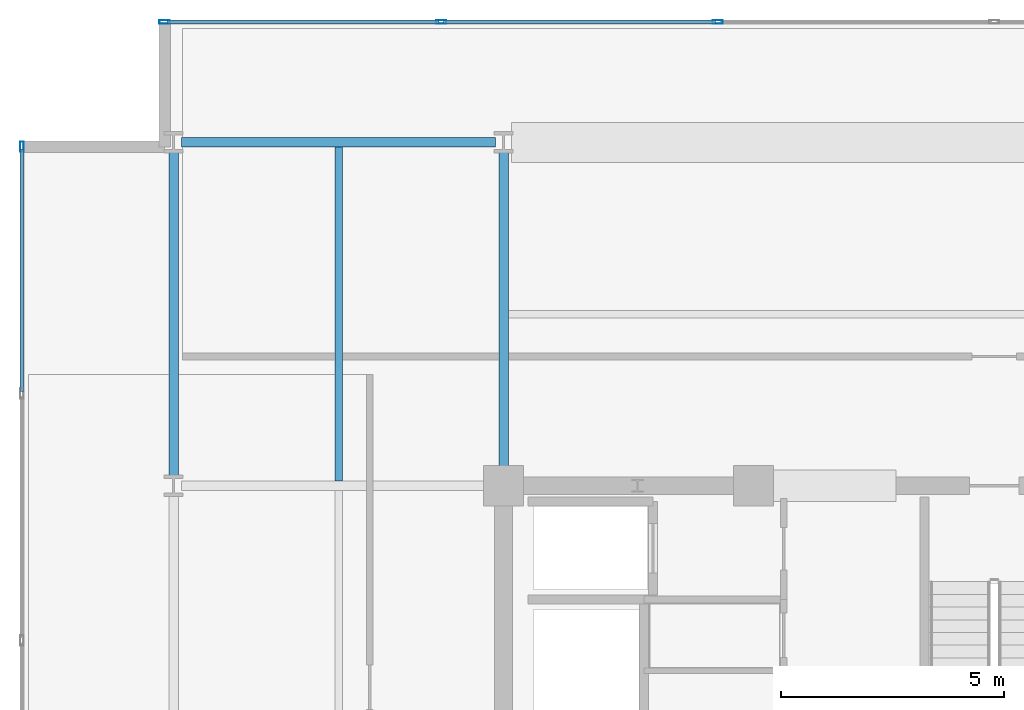
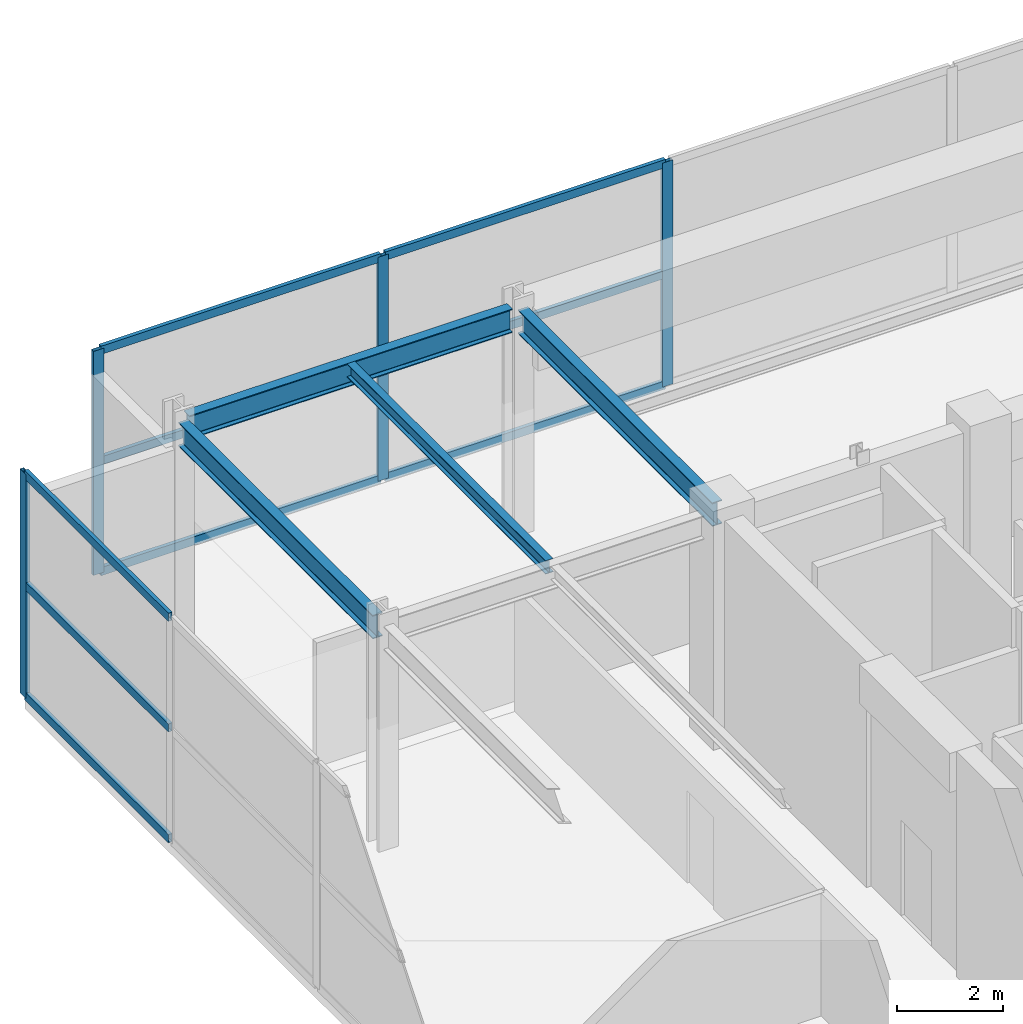
# One storey, part 13 of 24: 13 members, 4 beams, 2 elements without a shape of their own.
"""IFC4 building model written with IfcOpenShell, lengths in metres."""

from ifc_helpers import new_model, si_unit, direction, frame, origin, origin_2d, place, context, subcontext, project, spatial, hollow_rectangle, i_section, extrude, material, material_profile, profile_set, type_object, element, aggregate, save


model = new_model("IFC4")

# Units and contexts
model_context = context("Model", 3, precision=1e-05, world=origin(), true_north=direction((0.0, 1.0)))
body_context = subcontext(model_context, "Body", "Model", "MODEL_VIEW")
ifc_project = project(units=[si_unit("LENGTHUNIT", "METRE"), si_unit("AREAUNIT", "SQUARE_METRE"), si_unit("VOLUMEUNIT", "CUBIC_METRE"), si_unit("PLANEANGLEUNIT", "RADIAN"), si_unit("MASSUNIT", "GRAM", prefix="KILO")], contexts=[model_context])

# Site, building, storey
site_placement = place(None, origin())
site = spatial("IfcSite", under=ifc_project, at=site_placement, CompositionType="ELEMENT")
building_placement = place(site_placement, origin())
building = spatial("IfcBuilding", under=site, at=building_placement, Name="Kovane Verandah Tower", CompositionType="ELEMENT")
storey_placement = place(building_placement, frame((0.0, 0.0, 348.800048828125)))
storey = spatial("IfcBuildingStorey", under=building, at=storey_placement, Name="L81", CompositionType="ELEMENT", Elevation=348.800048828125)

# Beams
ifc_material_1 = material(Name="Steel S355", Category="steel")
ifc_material_profile_1 = material_profile(ifc_material_1, i_section(OverallWidth=0.2119140625, OverallDepth=0.54443359375, WebThickness=0.0126953125, FlangeThickness=0.021240234375, FilletRadius=0.0126953125, at=origin_2d()), Name="UB533x210x122")
ifc_profile_set_1 = profile_set([ifc_material_profile_1], Name="Steel S355")
beam_type_1 = type_object("IfcBeamType", Name="BM-UB533x122", PredefinedType="BEAM", material=ifc_profile_set_1)
beam_1_placement = place(storey_placement, frame((21.780029296875, 44.199951171875, 4.927734375), z_axis=(1.0, 0.0, 0.0), x_axis=(0.0, 1.0, 0.0)))
element("IfcBeam", 1, at=beam_1_placement, inside=storey, type_object=beam_type_1, Name="L81 Primary Tower Girder G-RN1", PredefinedType="BEAM", context=body_context, shape_type="SweptSolid", body=[
    extrude(i_section(OverallWidth=0.2119140625, OverallDepth=0.54443359375, WebThickness=0.0126953125, FlangeThickness=0.021240234375, FilletRadius=0.0126953125, at=origin_2d()), origin(), (0.0, 0.0, 1.0), 7.0400390625),
])
for number, where, z_axis, x_axis, name in (
    (2, (21.60009765625, 36.679931640625, 4.927734375), (0.0, 1.0, 0.0), (-1.0, 0.0, 0.0), "L81 Primary Tower Girder G-RW3"),
    (3, (29.0, 36.679931640625, 4.927734375), (0.0, 1.0, 0.0), (-1.0, 0.0, 0.0), "L81 Primary Tower Girder G-N1"),
):
    element("IfcBeam", number, at=place(storey_placement, frame(where, z_axis=z_axis, x_axis=x_axis)), inside=storey, type_object=beam_type_1, Name=name, PredefinedType="BEAM", context=body_context, shape_type="SweptSolid", body=[
        extrude(i_section(OverallWidth=0.2119140625, OverallDepth=0.54443359375, WebThickness=0.0126953125, FlangeThickness=0.021240234375, FilletRadius=0.0126953125, at=origin_2d()), origin(), (0.0, 0.0, 1.0), 7.340087890625),
    ])

# Curtain wall, members
ifc_material_2 = material(Name="Champagne Anodised Aluminium Frame with Low-E Clear Laminated Glass", Category="aluminium")
curtain_wall_type = type_object("IfcCurtainWallType", Name="CW-SYS-06-CROWN", PredefinedType="NOTDEFINED", material=ifc_material_2)
curtain_wall_1_placement = place(storey_placement, origin())
curtain_wall_1 = element("IfcCurtainWall", 4, at=curtain_wall_1_placement, inside=storey, type_object=curtain_wall_type, Name="L81 N Unitised Curtain Wall", PredefinedType="NOTDEFINED")
ifc_material_3 = material(Name="Champagne Anodised Aluminium 6063-T6", Category="aluminium")
ifc_material_profile_2 = material_profile(ifc_material_3, hollow_rectangle(XDim=0.0849609375, YDim=0.22998046875, WallThickness=0.00390625, at=origin_2d()), Name="AL85x230x4")
ifc_profile_set_2 = profile_set([ifc_material_profile_2], Name="Champagne Anodised Aluminium 6063-T6")
member_type_1 = type_object("IfcMemberType", Name="CW-MUL-85x230", PredefinedType="MULLION", material=ifc_profile_set_2)
member_1_placement = place(storey_placement, frame((33.800048828125, 46.89990234375, 0.02001953125), z_axis=(0.0, 0.0, 1.0), x_axis=(0.0, 1.0, 0.0)))
member_1 = element("IfcMember", 5, at=member_1_placement, type_object=member_type_1, Name="L81 N Unitised Curtain Wall Mullion 5", PredefinedType="MULLION", context=body_context, shape_type="SweptSolid", body=[
    extrude(hollow_rectangle(XDim=0.0849609375, YDim=0.22998046875, WallThickness=0.00390625, at=origin_2d()), origin(), (0.0, 0.0, 1.0), 5.159912109375),
])
member_2_placement = place(storey_placement, frame((27.60009765625, 46.89990234375, 0.02001953125), z_axis=(0.0, 0.0, 1.0), x_axis=(0.0, 1.0, 0.0)))
member_2 = element("IfcMember", 6, at=member_2_placement, type_object=member_type_1, Name="L81 N Unitised Curtain Wall Mullion 6", PredefinedType="MULLION", context=body_context, shape_type="SweptSolid", body=[
    extrude(hollow_rectangle(XDim=0.0849609375, YDim=0.22998046875, WallThickness=0.00390625, at=origin_2d()), origin(), (0.0, 0.0, 1.0), 5.159912109375),
])
member_3_placement = place(storey_placement, frame((21.39990234375, 46.89990234375, 0.02001953125), z_axis=(0.0, 0.0, 1.0), x_axis=(0.0, 1.0, 0.0)))
member_3 = element("IfcMember", 7, at=member_3_placement, type_object=member_type_1, Name="L81 N Unitised Curtain Wall Mullion 7", PredefinedType="MULLION", context=body_context, shape_type="SweptSolid", body=[
    extrude(hollow_rectangle(XDim=0.0849609375, YDim=0.22998046875, WallThickness=0.00390625, at=origin_2d()), origin(), (0.0, 0.0, 1.0), 5.159912109375),
])

# Curtain wall, member
curtain_wall_2_placement = place(storey_placement, origin())
curtain_wall_2 = element("IfcCurtainWall", 8, at=curtain_wall_2_placement, inside=storey, type_object=curtain_wall_type, Name="L81 W Unitised Curtain Wall", PredefinedType="NOTDEFINED")
member_4_placement = place(storey_placement, frame((18.199951171875, 44.10009765625, 0.02001953125), z_axis=(0.0, 0.0, 1.0), x_axis=(-1.0, 0.0, 0.0)))
member_4 = element("IfcMember", 9, at=member_4_placement, type_object=member_type_1, Name="L81 W Unitised Curtain Wall Mullion 1", PredefinedType="MULLION", context=body_context, shape_type="SweptSolid", body=[
    extrude(hollow_rectangle(XDim=0.0849609375, YDim=0.22998046875, WallThickness=0.00390625, at=origin_2d()), origin(), (0.0, 0.0, 1.0), 5.159912109375),
])

# Member
ifc_material_profile_3 = material_profile(ifc_material_3, hollow_rectangle(XDim=0.0849609375, YDim=0.18994140625, WallThickness=0.00390625, at=origin_2d()), Name="AL85x190x4")
ifc_profile_set_3 = profile_set([ifc_material_profile_3], Name="Champagne Anodised Aluminium 6063-T6")
member_type_2 = type_object("IfcMemberType", Name="CW-TRN-85x190", PredefinedType="USERDEFINED", material=ifc_profile_set_3)
member_5_placement = place(storey_placement, frame((33.75, 46.89990234375, 0.050048828125), z_axis=(-1.0, 0.0, 0.0), x_axis=(0.0, -1.0, 0.0)))
member_5 = element("IfcMember", 10, at=member_5_placement, type_object=member_type_2, Name="L81 N Unitised Curtain Wall Transom TB Bay 5", ObjectType="TRANSOM", PredefinedType="USERDEFINED", context=body_context, shape_type="SweptSolid", body=[
    extrude(hollow_rectangle(XDim=0.0849609375, YDim=0.18994140625, WallThickness=0.00390625, at=origin_2d()), origin(), (0.0, 0.0, 1.0), 6.10009765625),
])

member_6_placement = place(storey_placement, frame((33.75, 46.89990234375, 2.599853515625), z_axis=(-1.0, 0.0, 0.0), x_axis=(0.0, -1.0, 0.0)))
member_6 = element("IfcMember", 11, at=member_6_placement, type_object=member_type_2, Name="L81 N Unitised Curtain Wall Transom TM Bay 5", ObjectType="TRANSOM", PredefinedType="USERDEFINED", context=body_context, shape_type="SweptSolid", body=[
    extrude(hollow_rectangle(XDim=0.0849609375, YDim=0.18994140625, WallThickness=0.00390625, at=origin_2d()), origin(), (0.0, 0.0, 1.0), 6.10009765625),
])

member_7_placement = place(storey_placement, frame((33.75, 46.89990234375, 5.14990234375), z_axis=(-1.0, 0.0, 0.0), x_axis=(0.0, -1.0, 0.0)))
member_7 = element("IfcMember", 12, at=member_7_placement, type_object=member_type_2, Name="L81 N Unitised Curtain Wall Transom TT Bay 5", ObjectType="TRANSOM", PredefinedType="USERDEFINED", context=body_context, shape_type="SweptSolid", body=[
    extrude(hollow_rectangle(XDim=0.0849609375, YDim=0.18994140625, WallThickness=0.00390625, at=origin_2d()), origin(), (0.0, 0.0, 1.0), 6.10009765625),
])

member_8_placement = place(storey_placement, frame((27.550048828125, 46.89990234375, 0.050048828125), z_axis=(-1.0, 0.0, 0.0), x_axis=(0.0, -1.0, 0.0)))
member_8 = element("IfcMember", 13, at=member_8_placement, type_object=member_type_2, Name="L81 N Unitised Curtain Wall Transom TB Bay 6", ObjectType="TRANSOM", PredefinedType="USERDEFINED", context=body_context, shape_type="SweptSolid", body=[
    extrude(hollow_rectangle(XDim=0.0849609375, YDim=0.18994140625, WallThickness=0.00390625, at=origin_2d()), origin(), (0.0, 0.0, 1.0), 6.10009765625),
])

member_9_placement = place(storey_placement, frame((27.550048828125, 46.89990234375, 2.599853515625), z_axis=(-1.0, 0.0, 0.0), x_axis=(0.0, -1.0, 0.0)))
member_9 = element("IfcMember", 14, at=member_9_placement, type_object=member_type_2, Name="L81 N Unitised Curtain Wall Transom TM Bay 6", ObjectType="TRANSOM", PredefinedType="USERDEFINED", context=body_context, shape_type="SweptSolid", body=[
    extrude(hollow_rectangle(XDim=0.0849609375, YDim=0.18994140625, WallThickness=0.00390625, at=origin_2d()), origin(), (0.0, 0.0, 1.0), 6.10009765625),
])

member_10_placement = place(storey_placement, frame((27.550048828125, 46.89990234375, 5.14990234375), z_axis=(-1.0, 0.0, 0.0), x_axis=(0.0, -1.0, 0.0)))
member_10 = element("IfcMember", 15, at=member_10_placement, type_object=member_type_2, Name="L81 N Unitised Curtain Wall Transom TT Bay 6", ObjectType="TRANSOM", PredefinedType="USERDEFINED", context=body_context, shape_type="SweptSolid", body=[
    extrude(hollow_rectangle(XDim=0.0849609375, YDim=0.18994140625, WallThickness=0.00390625, at=origin_2d()), origin(), (0.0, 0.0, 1.0), 6.10009765625),
])

aggregate(curtain_wall_1, [member_1, member_2, member_3, member_5, member_6, member_7, member_8, member_9, member_10])

member_11_placement = place(storey_placement, frame((18.199951171875, 44.050048828125, 0.050048828125), z_axis=(0.0, -1.0, 0.0), x_axis=(1.0, 0.0, 0.0)))
member_11 = element("IfcMember", 16, at=member_11_placement, type_object=member_type_2, Name="L81 W Unitised Curtain Wall Transom TB Bay 1", ObjectType="TRANSOM", PredefinedType="USERDEFINED", context=body_context, shape_type="SweptSolid", body=[
    extrude(hollow_rectangle(XDim=0.0849609375, YDim=0.18994140625, WallThickness=0.00390625, at=origin_2d()), origin(), (0.0, 0.0, 1.0), 5.433349609375),
])

member_12_placement = place(storey_placement, frame((18.199951171875, 44.050048828125, 2.599853515625), z_axis=(0.0, -1.0, 0.0), x_axis=(1.0, 0.0, 0.0)))
member_12 = element("IfcMember", 17, at=member_12_placement, type_object=member_type_2, Name="L81 W Unitised Curtain Wall Transom TM Bay 1", ObjectType="TRANSOM", PredefinedType="USERDEFINED", context=body_context, shape_type="SweptSolid", body=[
    extrude(hollow_rectangle(XDim=0.0849609375, YDim=0.18994140625, WallThickness=0.00390625, at=origin_2d()), origin(), (0.0, 0.0, 1.0), 5.433349609375),
])

member_13_placement = place(storey_placement, frame((18.199951171875, 44.050048828125, 5.14990234375), z_axis=(0.0, -1.0, 0.0), x_axis=(1.0, 0.0, 0.0)))
member_13 = element("IfcMember", 18, at=member_13_placement, type_object=member_type_2, Name="L81 W Unitised Curtain Wall Transom TT Bay 1", ObjectType="TRANSOM", PredefinedType="USERDEFINED", context=body_context, shape_type="SweptSolid", body=[
    extrude(hollow_rectangle(XDim=0.0849609375, YDim=0.18994140625, WallThickness=0.00390625, at=origin_2d()), origin(), (0.0, 0.0, 1.0), 5.433349609375),
])

aggregate(curtain_wall_2, [member_4, member_11, member_12, member_13])

# Beam
ifc_material_profile_4 = material_profile(ifc_material_1, i_section(OverallWidth=0.1669921875, OverallDepth=0.310302734375, WebThickness=0.0078125, FlangeThickness=0.013671875, FilletRadius=0.0087890625, at=origin_2d()), Name="UB305x165x54")
ifc_profile_set_4 = profile_set([ifc_material_profile_4], Name="Steel S355")
beam_type_2 = type_object("IfcBeamType", Name="JST-UB305x54", PredefinedType="JOIST", material=ifc_profile_set_4)
beam_2_placement = place(storey_placement, frame((25.300048828125, 36.60400390625, 5.044677734375), z_axis=(0.0, 1.0, 0.0), x_axis=(-1.0, 0.0, 0.0)))
element("IfcBeam", 19, at=beam_2_placement, inside=storey, type_object=beam_type_2, Name="L81 Secondary Composite Joist J-NW1", PredefinedType="JOIST", context=body_context, shape_type="SweptSolid", body=[
    extrude(i_section(OverallWidth=0.1669921875, OverallDepth=0.310302734375, WebThickness=0.0078125, FlangeThickness=0.013671875, FilletRadius=0.0087890625, at=origin_2d()), origin(), (0.0, 0.0, 1.0), 7.491943359375),
])

save(model, "model.ifc")
